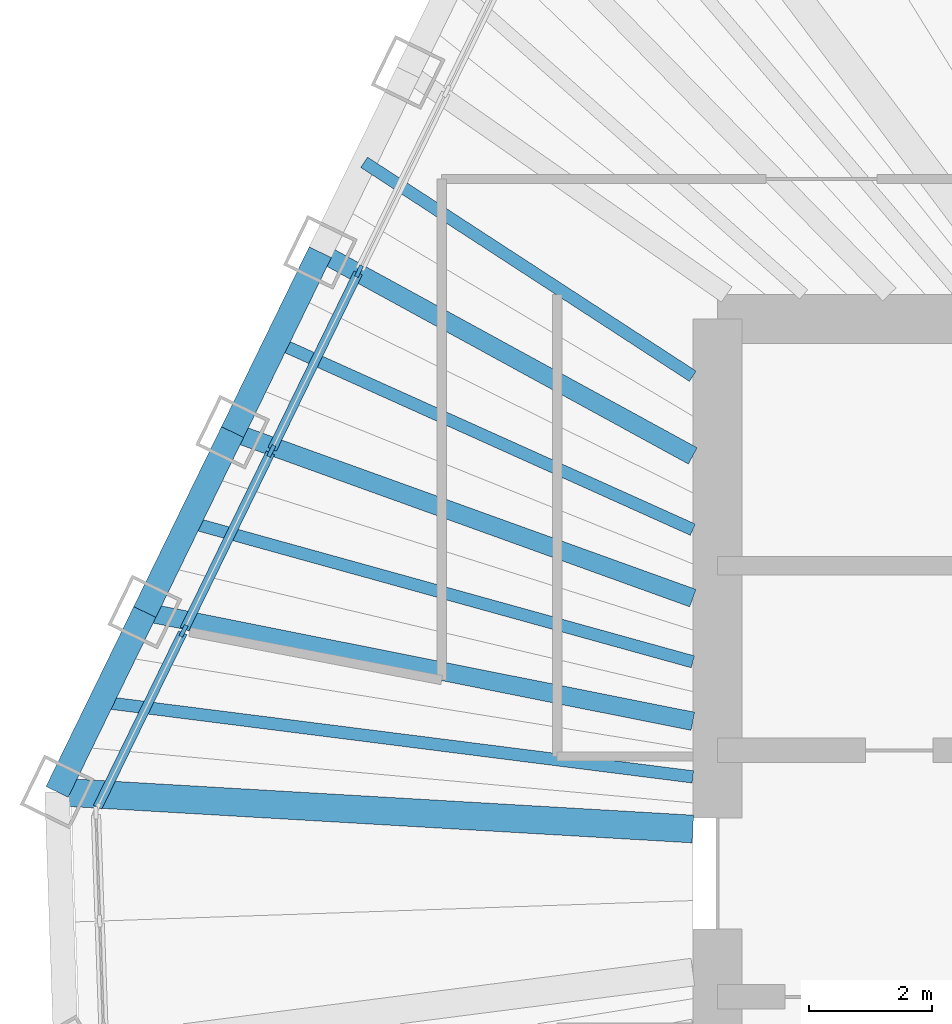
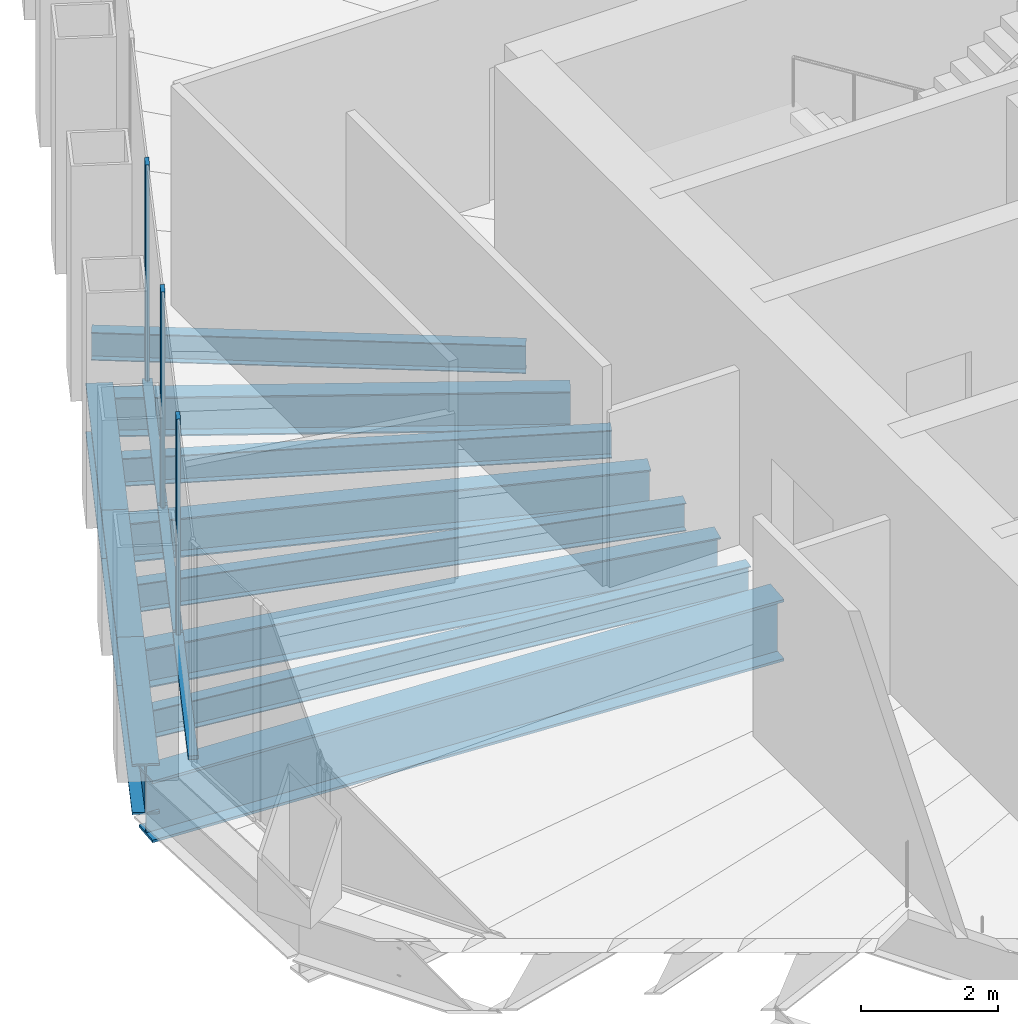
# One storey, part 4 of 14: 11 beams, 6 members, 1 element without a shape of its own.
"""IFC4 building model written with IfcOpenShell, lengths in metres."""

from ifc_helpers import new_model, si_unit, direction, frame, origin, origin_2d, place, context, subcontext, project, spatial, rectangle, i_section, extrude, material, material_profile, profile_set, type_object, element, aggregate, save


model = new_model("IFC4")

# Units and contexts
model_context = context("Model", 3, precision=1e-05, world=origin(), true_north=direction((0.0, 1.0)))
body_context = subcontext(model_context, "Body", "Model", "MODEL_VIEW")
ifc_project = project(units=[si_unit("LENGTHUNIT", "METRE"), si_unit("AREAUNIT", "SQUARE_METRE"), si_unit("VOLUMEUNIT", "CUBIC_METRE"), si_unit("PLANEANGLEUNIT", "RADIAN"), si_unit("MASSUNIT", "GRAM", prefix="KILO")], contexts=[model_context])

# Site, building, storey
site_placement = place(None, origin())
site = spatial("IfcSite", under=ifc_project, at=site_placement, CompositionType="ELEMENT")
building_placement = place(site_placement, origin())
building = spatial("IfcBuilding", under=site, at=building_placement, Name="Qingtian Harvest Tower", CompositionType="ELEMENT")
storey_placement = place(building_placement, frame((0.0, 0.0, 333.39990234375)))
storey = spatial("IfcBuildingStorey", under=building, at=storey_placement, Name="L74", CompositionType="ELEMENT", Elevation=333.39990234375)

# Beams
ifc_material_1 = material(Name="Steel SM570MC", Category="steel")
ifc_material_profile_1 = material_profile(ifc_material_1, i_section(OverallWidth=0.449951171875, OverallDepth=1.10009765625, WebThickness=0.02197265625, FlangeThickness=0.044921875, at=origin_2d()), Name="H1100x450x22x45")
ifc_profile_set_1 = profile_set([ifc_material_profile_1], Name="Steel SM570MC")
beam_type_1 = type_object("IfcBeamType", Name="Corner floor beam FB8 H1100x450x22x45", PredefinedType="BEAM", material=ifc_profile_set_1)
beam_1_placement = place(storey_placement, frame((-22.71728515625, 1.3271484375, -0.719970703125), z_axis=(0.998297672445, -0.058324584791, 0.0), x_axis=(0.058324584791, 0.998297672445, 0.0)))
element("IfcBeam", 1, at=beam_1_placement, inside=storey, type_object=beam_type_1, Name="Floor beam FB8 NW0", PredefinedType="BEAM", context=body_context, shape_type="SweptSolid", body=[
    extrude(i_section(OverallWidth=0.449951171875, OverallDepth=1.10009765625, WebThickness=0.02197265625, FlangeThickness=0.044921875, at=origin_2d()), origin(), (0.0, 0.0, 1.0), 10.3349609375),
])
ifc_material_2 = material(Name="Steel SN490B", Category="steel")
ifc_material_profile_2 = material_profile(ifc_material_2, i_section(OverallWidth=0.300048828125, OverallDepth=0.699951171875, WebThickness=0.012939453125, FlangeThickness=0.02392578125, at=origin_2d()), Name="H700x300x13x24")
ifc_profile_set_2 = profile_set([ifc_material_profile_2], Name="Steel SN490B")
beam_type_2 = type_object("IfcBeamType", Name="Floor beam FB4 H700x300x13x24", PredefinedType="BEAM", material=ifc_profile_set_2)
beam_2_placement = place(storey_placement, frame((-21.29345703125, 4.246337890625, -0.52001953125), z_axis=(0.980692343585, -0.195556966723, 0.0), x_axis=(0.195556966723, 0.980692343585, 0.0)))
element("IfcBeam", 2, at=beam_2_placement, inside=storey, type_object=beam_type_2, Name="Floor beam FB4 NW1", PredefinedType="BEAM", context=body_context, shape_type="SweptSolid", body=[
    extrude(i_section(OverallWidth=0.300048828125, OverallDepth=0.699951171875, WebThickness=0.012939453125, FlangeThickness=0.02392578125, at=origin_2d()), origin(), (0.0, 0.0, 1.0), 9.068603515625),
])
beam_3_placement = place(storey_placement, frame((-19.86962890625, 7.165771484375, -0.52001953125), z_axis=(0.940696778834, -0.339248537641, 0.0), x_axis=(0.339248537641, 0.940696778834, 0.0)))
element("IfcBeam", 3, at=beam_3_placement, inside=storey, type_object=beam_type_2, Name="Floor beam FB4 NW2", PredefinedType="BEAM", context=body_context, shape_type="SweptSolid", body=[
    extrude(i_section(OverallWidth=0.300048828125, OverallDepth=0.699951171875, WebThickness=0.012939453125, FlangeThickness=0.02392578125, at=origin_2d()), origin(), (0.0, 0.0, 1.0), 7.940673828125),
])
beam_4_placement = place(storey_placement, frame((-18.44580078125, 10.0849609375, -0.52001953125), z_axis=(0.877427999734, -0.479708354402, 0.0), x_axis=(0.479708354402, 0.877427999734, 0.0)))
element("IfcBeam", 4, at=beam_4_placement, inside=storey, type_object=beam_type_2, Name="Floor beam FB4 NW3", PredefinedType="BEAM", context=body_context, shape_type="SweptSolid", body=[
    extrude(i_section(OverallWidth=0.300048828125, OverallDepth=0.699951171875, WebThickness=0.012939453125, FlangeThickness=0.02392578125, at=origin_2d()), origin(), (0.0, 0.0, 1.0), 6.890380859375),
])
ifc_material_3 = material(Name="Steel SN490B", Category="steel")
ifc_material_profile_3 = material_profile(ifc_material_3, i_section(OverallWidth=0.199951171875, OverallDepth=0.5, WebThickness=0.010009765625, FlangeThickness=0.01611328125, at=origin_2d()), Name="H500x200x10x16")
ifc_profile_set_3 = profile_set([ifc_material_profile_3], Name="Steel SN490B")
beam_type_3 = type_object("IfcBeamType", Name="Floor joist J3 H500x200x10x16", PredefinedType="JOIST", material=ifc_profile_set_3)
beam_5_placement = place(storey_placement, frame((-22.00537109375, 2.78662109375, -0.419921875), z_axis=(0.992077984062, -0.125623538954, 0.0), x_axis=(0.125623538954, 0.992077984062, 0.0)))
element("IfcBeam", 5, at=beam_5_placement, inside=storey, type_object=beam_type_3, Name="Floor joist J3 NW0", PredefinedType="JOIST", context=body_context, shape_type="SweptSolid", body=[
    extrude(i_section(OverallWidth=0.199951171875, OverallDepth=0.5, WebThickness=0.010009765625, FlangeThickness=0.01611328125, at=origin_2d()), origin(), (0.0, 0.0, 1.0), 9.68212890625),
])
beam_6_placement = place(storey_placement, frame((-20.58154296875, 5.7060546875, -0.419921875), z_axis=(0.963650445063, -0.267166277306, 0.0), x_axis=(0.267166277306, 0.963650445063, 0.0)))
element("IfcBeam", 6, at=beam_6_placement, inside=storey, type_object=beam_type_3, Name="Floor joist J3 NW1", PredefinedType="JOIST", context=body_context, shape_type="SweptSolid", body=[
    extrude(i_section(OverallWidth=0.199951171875, OverallDepth=0.5, WebThickness=0.010009765625, FlangeThickness=0.01611328125, at=origin_2d()), origin(), (0.0, 0.0, 1.0), 8.490234375),
])
beam_7_placement = place(storey_placement, frame((-19.15771484375, 8.625244140625, -0.419921875), z_axis=(0.911847523905, -0.410529040567, 0.0), x_axis=(0.410529040567, 0.911847523905, 0.0)))
element("IfcBeam", 7, at=beam_7_placement, inside=storey, type_object=beam_type_3, Name="Floor joist J3 NW2", PredefinedType="JOIST", context=body_context, shape_type="SweptSolid", body=[
    extrude(i_section(OverallWidth=0.199951171875, OverallDepth=0.5, WebThickness=0.010009765625, FlangeThickness=0.01611328125, at=origin_2d()), origin(), (0.0, 0.0, 1.0), 7.4111328125),
])
beam_8_placement = place(storey_placement, frame((-17.73388671875, 11.544677734375, -0.419921875), z_axis=(0.83806130614, -0.545576069079, 0.0), x_axis=(0.545576069079, 0.83806130614, 0.0)))
element("IfcBeam", 8, at=beam_8_placement, inside=storey, type_object=beam_type_3, Name="Floor joist J3 NW3", PredefinedType="JOIST", context=body_context, shape_type="SweptSolid", body=[
    extrude(i_section(OverallWidth=0.199951171875, OverallDepth=0.5, WebThickness=0.010009765625, FlangeThickness=0.01611328125, at=origin_2d()), origin(), (0.0, 0.0, 1.0), 6.36474609375),
])

# Curtain wall, members
ifc_material_4 = material(Name="Bronze-anodised aluminium curtain wall", Category="aluminium")
curtain_wall_type = type_object("IfcCurtainWallType", Name="Curtain wall CW6 executive floors", PredefinedType="USERDEFINED", material=ifc_material_4)
curtain_wall_placement = place(storey_placement, origin())
curtain_wall = element("IfcCurtainWall", 9, at=curtain_wall_placement, inside=storey, type_object=curtain_wall_type, Name="Curtain wall CW6 L74 NW0-5", ObjectType="RECESSED CURTAIN WALL", PredefinedType="USERDEFINED")
ifc_material_5 = material(Name="Bronze-anodised aluminium mullion", Category="aluminium")
ifc_material_profile_4 = material_profile(ifc_material_5, rectangle(XDim=0.06494140625, YDim=0.199951171875, at=origin_2d()), Name="AL 65x200")
ifc_profile_set_4 = profile_set([ifc_material_profile_4], Name="Bronze-anodised aluminium mullion")
member_type_1 = type_object("IfcMemberType", Name="Mullion CWM 65x200", PredefinedType="MULLION", material=ifc_profile_set_4)
member_1_placement = place(storey_placement, frame((-20.664306640625, 3.939453125, 0.0), z_axis=(0.0, 0.0, 1.0), x_axis=(-0.898794046299, 0.438371146789, 0.0)))
member_1 = element("IfcMember", 10, at=member_1_placement, type_object=member_type_1, Name="CW6 mullion 2", PredefinedType="MULLION", context=body_context, shape_type="SweptSolid", body=[
    extrude(rectangle(XDim=0.06494140625, YDim=0.199951171875, at=origin_2d()), origin(), (0.0, 0.0, 1.0), 3.920166015625),
])
member_2_placement = place(storey_placement, frame((-19.240478515625, 6.85888671875, 0.0), z_axis=(0.0, 0.0, 1.0), x_axis=(-0.898794046299, 0.438371146789, 0.0)))
member_2 = element("IfcMember", 11, at=member_2_placement, type_object=member_type_1, Name="CW6 mullion 3", PredefinedType="MULLION", context=body_context, shape_type="SweptSolid", body=[
    extrude(rectangle(XDim=0.06494140625, YDim=0.199951171875, at=origin_2d()), origin(), (0.0, 0.0, 1.0), 3.920166015625),
])
member_3_placement = place(storey_placement, frame((-17.816650390625, 9.778076171875, 0.0), z_axis=(0.0, 0.0, 1.0), x_axis=(-0.898794046299, 0.438371146789, 0.0)))
member_3 = element("IfcMember", 12, at=member_3_placement, type_object=member_type_1, Name="CW6 mullion 4", PredefinedType="MULLION", context=body_context, shape_type="SweptSolid", body=[
    extrude(rectangle(XDim=0.06494140625, YDim=0.199951171875, at=origin_2d()), origin(), (0.0, 0.0, 1.0), 3.920166015625),
])

# Beams
ifc_material_6 = material(Name="Steel SN490B", Category="steel")
ifc_material_profile_5 = material_profile(ifc_material_6, i_section(OverallWidth=0.39990234375, OverallDepth=0.89990234375, WebThickness=0.01904296875, FlangeThickness=0.035888671875, at=origin_2d()), Name="H900x400x19x36")
ifc_profile_set_5 = profile_set([ifc_material_profile_5], Name="Steel SN490B")
beam_type_4 = type_object("IfcBeamType", Name="Spandrel beam SB4 H900x400x19x36", PredefinedType="SPANDREL", material=ifc_profile_set_5)
beam_9_placement = place(storey_placement, frame((-22.71728515625, 1.3271484375, -0.449951171875), z_axis=(0.438382164311, 0.898788672611, 0.0), x_axis=(-0.898788672611, 0.438382164311, 0.0)))
element("IfcBeam", 13, at=beam_9_placement, inside=storey, type_object=beam_type_4, Name="Spandrel SB4 NW0", PredefinedType="SPANDREL", context=body_context, shape_type="SweptSolid", body=[
    extrude(i_section(OverallWidth=0.39990234375, OverallDepth=0.89990234375, WebThickness=0.01904296875, FlangeThickness=0.035888671875, at=origin_2d()), origin(), (0.0, 0.0, 1.0), 3.247802734375),
])
beam_10_placement = place(storey_placement, frame((-21.29345703125, 4.246337890625, -0.449951171875), z_axis=(0.438352548749, 0.898803116931, 0.0), x_axis=(-0.898803116931, 0.438352548749, 0.0)))
element("IfcBeam", 14, at=beam_10_placement, inside=storey, type_object=beam_type_4, Name="Spandrel SB4 NW1", PredefinedType="SPANDREL", context=body_context, shape_type="SweptSolid", body=[
    extrude(i_section(OverallWidth=0.39990234375, OverallDepth=0.89990234375, WebThickness=0.01904296875, FlangeThickness=0.035888671875, at=origin_2d()), origin(), (0.0, 0.0, 1.0), 3.248046875),
])
beam_11_placement = place(storey_placement, frame((-19.86962890625, 7.165771484375, -0.449951171875), z_axis=(0.438382164311, 0.898788672611, 0.0), x_axis=(-0.898788672611, 0.438382164311, 0.0)))
element("IfcBeam", 15, at=beam_11_placement, inside=storey, type_object=beam_type_4, Name="Spandrel SB4 NW2", PredefinedType="SPANDREL", context=body_context, shape_type="SweptSolid", body=[
    extrude(i_section(OverallWidth=0.39990234375, OverallDepth=0.89990234375, WebThickness=0.01904296875, FlangeThickness=0.035888671875, at=origin_2d()), origin(), (0.0, 0.0, 1.0), 3.247802734375),
])

# Member
ifc_material_7 = material(Name="Bronze-anodised aluminium transom", Category="aluminium")
ifc_material_profile_6 = material_profile(ifc_material_7, rectangle(XDim=0.14990234375, YDim=0.06494140625, at=origin_2d()), Name="AL 65x150")
ifc_profile_set_6 = profile_set([ifc_material_profile_6], Name="Bronze-anodised aluminium transom")
member_type_2 = type_object("IfcMemberType", Name="Transom CWT 65x150", PredefinedType="USERDEFINED", material=ifc_profile_set_6)
member_4_placement = place(storey_placement, frame((-22.059814453125, 1.07861328125, 0.03271484375), z_axis=(0.438357982629, 0.89880046677, 0.0), x_axis=(-0.89880046677, 0.438357982629, 0.0)))
member_4 = element("IfcMember", 16, at=member_4_placement, type_object=member_type_2, Name="CW6 transom 1.1", ObjectType="TRANSOM", PredefinedType="USERDEFINED", context=body_context, shape_type="SweptSolid", body=[
    extrude(rectangle(XDim=0.14990234375, YDim=0.06494140625, at=origin_2d()), origin(), (0.0, 0.0, 1.0), 3.150634765625),
])

member_5_placement = place(storey_placement, frame((-20.650146484375, 3.96875, 0.03271484375), z_axis=(0.438355626738, 0.898801615768, 0.0), x_axis=(-0.898801615768, 0.438355626738, 0.0)))
member_5 = element("IfcMember", 17, at=member_5_placement, type_object=member_type_2, Name="CW6 transom 2.1", ObjectType="TRANSOM", PredefinedType="USERDEFINED", context=body_context, shape_type="SweptSolid", body=[
    extrude(rectangle(XDim=0.14990234375, YDim=0.06494140625, at=origin_2d()), origin(), (0.0, 0.0, 1.0), 3.182861328125),
])

member_6_placement = place(storey_placement, frame((-19.226318359375, 6.887939453125, 0.03271484375), z_axis=(0.438325408134, 0.898816353091, 0.0), x_axis=(-0.898816353091, 0.438325408134, 0.0)))
member_6 = element("IfcMember", 18, at=member_6_placement, type_object=member_type_2, Name="CW6 transom 3.1", ObjectType="TRANSOM", PredefinedType="USERDEFINED", context=body_context, shape_type="SweptSolid", body=[
    extrude(rectangle(XDim=0.14990234375, YDim=0.06494140625, at=origin_2d()), origin(), (0.0, 0.0, 1.0), 3.18310546875),
])

aggregate(curtain_wall, [member_1, member_2, member_3, member_4, member_5, member_6])

save(model, "model.ifc")
